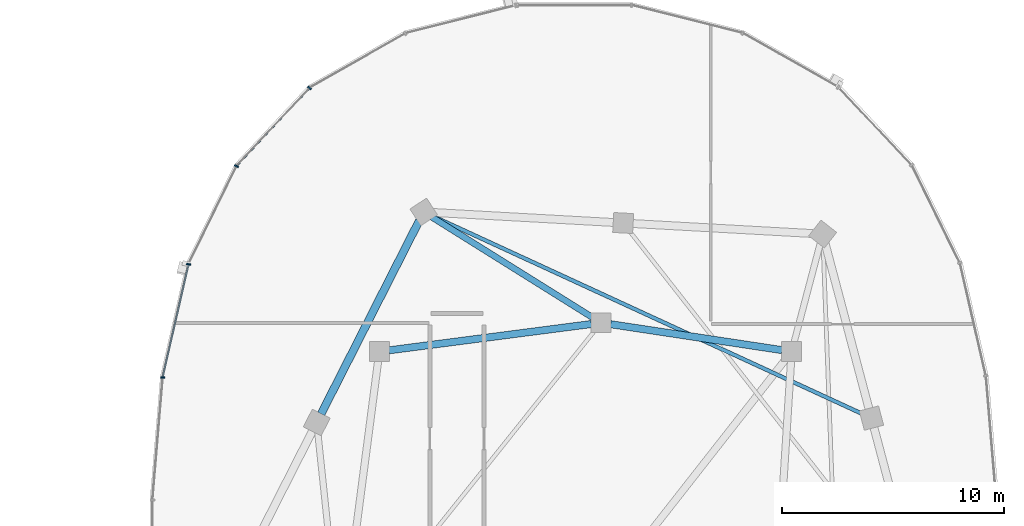
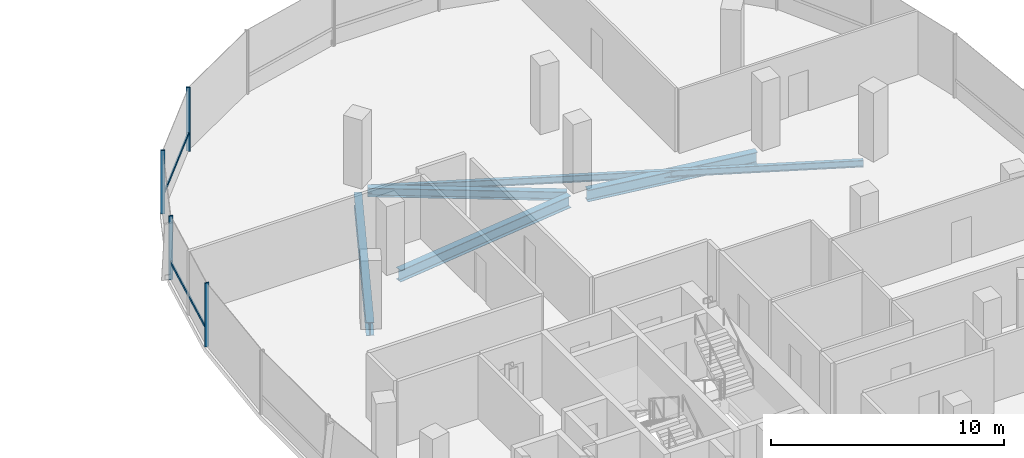
# One storey, part 11 of 25: 6 members, 5 beams, 1 element without a shape of its own.
"""IFC4 building model written with IfcOpenShell, lengths in metres."""

from ifc_helpers import new_model, si_unit, direction, frame, origin, origin_2d, place, context, subcontext, project, spatial, rectangle, i_section, extrude, material, material_profile, profile_set, type_object, element, aggregate, save


model = new_model("IFC4")

# Units and contexts
model_context = context("Model", 3, precision=1e-05, world=origin(), true_north=direction((0.0, 1.0)))
body_context = subcontext(model_context, "Body", "Model", "MODEL_VIEW")
ifc_project = project(units=[si_unit("LENGTHUNIT", "METRE"), si_unit("AREAUNIT", "SQUARE_METRE"), si_unit("VOLUMEUNIT", "CUBIC_METRE"), si_unit("PLANEANGLEUNIT", "RADIAN"), si_unit("MASSUNIT", "GRAM", prefix="KILO"), si_unit("THERMODYNAMICTEMPERATUREUNIT", "KELVIN"), si_unit("POWERUNIT", "WATT")], contexts=[model_context])

# Site, building, storey
site_placement = place(None, origin())
site = spatial("IfcSite", under=ifc_project, at=site_placement, CompositionType="ELEMENT")
building_placement = place(site_placement, origin())
building = spatial("IfcBuilding", under=site, at=building_placement, Name="Cundina Bronze Exchange", CompositionType="ELEMENT")
storey_placement = place(building_placement, frame((0.0, 0.0, 217.0)))
storey = spatial("IfcBuildingStorey", under=building, at=storey_placement, Name="L57", CompositionType="ELEMENT", Elevation=217.0)

# Beams
ifc_material_1 = material(Name="Steel ASTM A992 Grade 50", Category="steel")
ifc_material_profile_1 = material_profile(ifc_material_1, i_section(OverallWidth=0.280029296875, OverallDepth=0.462890625, WebThickness=0.0107421875, FlangeThickness=0.017333984375, FilletRadius=0.011962890625, at=origin_2d()), Name="W18X76", Category="steel")
ifc_profile_set_1 = profile_set([ifc_material_profile_1], Name="Steel ASTM A992 Grade 50")
beam_type_1 = type_object("IfcBeamType", Name="BM-FLR-W18A", PredefinedType="BEAM", material=ifc_profile_set_1)
beam_1_placement = place(storey_placement, frame((32.82861328125, 11.031982421875, -0.491455078125), z_axis=(-0.847995098703, 0.530004068452, 0.0), x_axis=(-0.530004068452, -0.847995098703, 0.0)))
element("IfcBeam", 1, at=beam_1_placement, inside=storey, type_object=beam_type_1, Name="L57 Leg E Chordal Floor Beam 12", PredefinedType="BEAM", context=body_context, shape_type="SweptSolid", body=[
    extrude(i_section(OverallWidth=0.280029296875, OverallDepth=0.462890625, WebThickness=0.0107421875, FlangeThickness=0.017333984375, FilletRadius=0.011962890625, at=origin_2d()), origin(), (0.0, 0.0, 1.0), 8.55810546875),
])
ifc_material_profile_2 = material_profile(ifc_material_1, i_section(OverallWidth=0.172119140625, OverallDepth=0.35791015625, WebThickness=0.0078125, FlangeThickness=0.01318359375, FilletRadius=0.010009765625, at=origin_2d()), Name="W14X38", Category="steel")
ifc_profile_set_2 = profile_set([ifc_material_profile_2], Name="Steel ASTM A992 Grade 50")
beam_type_2 = type_object("IfcBeamType", Name="BM-JST-W14", PredefinedType="JOIST", material=ifc_profile_set_2)
beam_2_placement = place(storey_placement, frame((45.002197265625, 6.68310546875, -0.43896484375), z_axis=(-0.908355026127, 0.418199888224, 0.0), x_axis=(-0.418199888224, -0.908355026127, 0.0)))
element("IfcBeam", 2, at=beam_2_placement, inside=storey, type_object=beam_type_2, Name="L57 Leg E Lobe Floor Joist 09-12", PredefinedType="JOIST", context=body_context, shape_type="SweptSolid", body=[
    extrude(i_section(OverallWidth=0.172119140625, OverallDepth=0.35791015625, WebThickness=0.0078125, FlangeThickness=0.01318359375, FilletRadius=0.010009765625, at=origin_2d()), origin(), (0.0, 0.0, 1.0), 21.362060546875),
])
ifc_material_profile_3 = material_profile(ifc_material_1, i_section(OverallWidth=0.324951171875, OverallDepth=0.615966796875, WebThickness=0.013916015625, FlangeThickness=0.021484375, FilletRadius=0.01611328125, at=origin_2d()), Name="W24X117", Category="steel")
ifc_profile_set_3 = profile_set([ifc_material_profile_3], Name="Steel ASTM A992 Grade 50")
beam_type_3 = type_object("IfcBeamType", Name="BM-RING-W24", PredefinedType="USERDEFINED", material=ifc_profile_set_3)
beam_3_placement = place(storey_placement, frame((41.366943359375, 9.5654296875, -0.568115234375), z_axis=(-0.988764903598, 0.149478979839, 0.0), x_axis=(-0.149478979839, -0.988764903598, 0.0)))
element("IfcBeam", 3, at=beam_3_placement, inside=storey, type_object=beam_type_3, Name="L57 E Inner Structural Ring Girder 05", ObjectType="GIRDER", PredefinedType="USERDEFINED", context=body_context, shape_type="SweptSolid", body=[
    extrude(i_section(OverallWidth=0.324951171875, OverallDepth=0.615966796875, WebThickness=0.013916015625, FlangeThickness=0.021484375, FilletRadius=0.01611328125, at=origin_2d()), origin(), (0.0, 0.0, 1.0), 7.82177734375),
])
beam_4_placement = place(storey_placement, frame((32.765625, 10.743408203125, -0.568115234375), z_axis=(-0.991656498582, -0.128908451316, 0.0), x_axis=(0.128908451316, -0.991656498582, 0.0)))
element("IfcBeam", 4, at=beam_4_placement, inside=storey, type_object=beam_type_3, Name="L57 E Inner Structural Ring Girder 06", ObjectType="GIRDER", PredefinedType="USERDEFINED", context=body_context, shape_type="SweptSolid", body=[
    extrude(i_section(OverallWidth=0.324951171875, OverallDepth=0.615966796875, WebThickness=0.013916015625, FlangeThickness=0.021484375, FilletRadius=0.01611328125, at=origin_2d()), origin(), (0.0, 0.0, 1.0), 9.208251953125),
])
ifc_material_profile_4 = material_profile(ifc_material_1, i_section(OverallWidth=0.35498046875, OverallDepth=0.695068359375, WebThickness=0.015380859375, FlangeThickness=0.02490234375, FilletRadius=0.01806640625, at=origin_2d()), Name="W27X146", Category="steel")
ifc_profile_set_4 = profile_set([ifc_material_profile_4], Name="Steel ASTM A992 Grade 50")
beam_type_4 = type_object("IfcBeamType", Name="BM-RING-W27", PredefinedType="USERDEFINED", material=ifc_profile_set_4)
beam_5_placement = place(storey_placement, frame((25.001708984375, 15.409423828125, -0.607421875), z_axis=(-0.452846871434, -0.891588308039, 0.0), x_axis=(0.891588308039, -0.452846871434, 0.0)))
element("IfcBeam", 5, at=beam_5_placement, inside=storey, type_object=beam_type_4, Name="L57 E Perimeter Ring Girder 12", ObjectType="GIRDER", PredefinedType="USERDEFINED", context=body_context, shape_type="SweptSolid", body=[
    extrude(i_section(OverallWidth=0.35498046875, OverallDepth=0.695068359375, WebThickness=0.015380859375, FlangeThickness=0.02490234375, FilletRadius=0.01806640625, at=origin_2d()), origin(), (0.0, 0.0, 1.0), 9.779052734375),
])

# Curtain wall, members
ifc_material_2 = material(Name="Anodised Bronze Aluminium 6063-T6", Category="aluminium")
curtain_wall_type = type_object("IfcCurtainWallType", Name="CWS-UPP-OFF", PredefinedType="NOTDEFINED", material=ifc_material_2)
curtain_wall_placement = place(storey_placement, origin())
curtain_wall = element("IfcCurtainWall", 6, at=curtain_wall_placement, inside=storey, type_object=curtain_wall_type, Name="L57 CW-05 Curtain Wall Run CWR-L57-E2", PredefinedType="NOTDEFINED")
ifc_material_profile_5 = material_profile(ifc_material_2, rectangle(XDim=0.070068359375, YDim=0.18994140625, at=origin_2d()), Name="AL70X190", Category="aluminium")
ifc_profile_set_5 = profile_set([ifc_material_profile_5], Name="Anodised Bronze Aluminium 6063-T6")
member_type_1 = type_object("IfcMemberType", Name="CWM-MUL-190", PredefinedType="MULLION", material=ifc_profile_set_5)
member_1_placement = place(storey_placement, frame((20.05126953125, 21.392578125, 0.0), z_axis=(0.0, 0.0, 1.0), x_axis=(-0.684292606175, -0.729207535023, 0.0)))
member_1 = element("IfcMember", 7, at=member_1_placement, type_object=member_type_1, Name="CW-05 Mullion 3", PredefinedType="MULLION", context=body_context, shape_type="SweptSolid", body=[
    extrude(rectangle(XDim=0.070068359375, YDim=0.18994140625, at=origin_2d()), origin(), (0.0, 0.0, 1.0), 3.340087890625),
])
member_2_placement = place(storey_placement, frame((16.754638671875, 17.866455078125, 0.0), z_axis=(0.0, 0.0, 1.0), x_axis=(-0.440566004113, -0.897720221461, 0.0)))
member_2 = element("IfcMember", 8, at=member_2_placement, type_object=member_type_1, Name="CW-05 Mullion 4", PredefinedType="MULLION", context=body_context, shape_type="SweptSolid", body=[
    extrude(rectangle(XDim=0.070068359375, YDim=0.18994140625, at=origin_2d()), origin(), (0.0, 0.0, 1.0), 3.340087890625),
])
member_3_placement = place(storey_placement, frame((14.59228515625, 13.440673828125, 0.0), z_axis=(0.0, 0.0, 1.0), x_axis=(-0.223250116011, -0.974761194191, 0.0)))
member_3 = element("IfcMember", 9, at=member_3_placement, type_object=member_type_1, Name="CW-05 Mullion 5", PredefinedType="MULLION", context=body_context, shape_type="SweptSolid", body=[
    extrude(rectangle(XDim=0.070068359375, YDim=0.18994140625, at=origin_2d()), origin(), (0.0, 0.0, 1.0), 3.340087890625),
])
member_4_placement = place(storey_placement, frame((13.427490234375, 8.33056640625, 0.0), z_axis=(0.0, 0.0, 1.0), x_axis=(-0.083677843332, -0.99649285925, 0.0)))
member_4 = element("IfcMember", 10, at=member_4_placement, type_object=member_type_1, Name="CW-05 Mullion 6", PredefinedType="MULLION", context=body_context, shape_type="SweptSolid", body=[
    extrude(rectangle(XDim=0.070068359375, YDim=0.18994140625, at=origin_2d()), origin(), (0.0, 0.0, 1.0), 3.340087890625),
])
ifc_material_profile_6 = material_profile(ifc_material_2, rectangle(XDim=0.06494140625, YDim=0.14990234375, at=origin_2d()), Name="AL65X150", Category="aluminium")
ifc_profile_set_6 = profile_set([ifc_material_profile_6], Name="Anodised Bronze Aluminium 6063-T6")
member_type_2 = type_object("IfcMemberType", Name="CWM-TRN-150", PredefinedType="USERDEFINED", material=ifc_profile_set_6)
member_5_placement = place(storey_placement, frame((20.02490234375, 21.364501953125, 0.919921875), z_axis=(-0.684336416554, -0.729166420633, 0.0), x_axis=(0.729166420633, -0.684336416554, 0.0)))
member_5 = element("IfcMember", 11, at=member_5_placement, type_object=member_type_2, Name="CW-05 Spandrel Transom 3", ObjectType="TRANSOM", PredefinedType="USERDEFINED", context=body_context, shape_type="SweptSolid", body=[
    extrude(rectangle(XDim=0.06494140625, YDim=0.14990234375, at=origin_2d()), origin(), (0.0, 0.0, 1.0), 4.76513671875),
])
member_6_placement = place(storey_placement, frame((14.58349609375, 13.403076171875, 0.919921875), z_axis=(-0.22328343579, -0.974753562344, 0.0), x_axis=(0.974753562344, -0.22328343579, 0.0)))
member_6 = element("IfcMember", 12, at=member_6_placement, type_object=member_type_2, Name="CW-05 Spandrel Transom 5", ObjectType="TRANSOM", PredefinedType="USERDEFINED", context=body_context, shape_type="SweptSolid", body=[
    extrude(rectangle(XDim=0.06494140625, YDim=0.14990234375, at=origin_2d()), origin(), (0.0, 0.0, 1.0), 5.159912109375),
])
aggregate(curtain_wall, [member_1, member_5, member_2, member_3, member_6, member_4])

save(model, "model.ifc")
